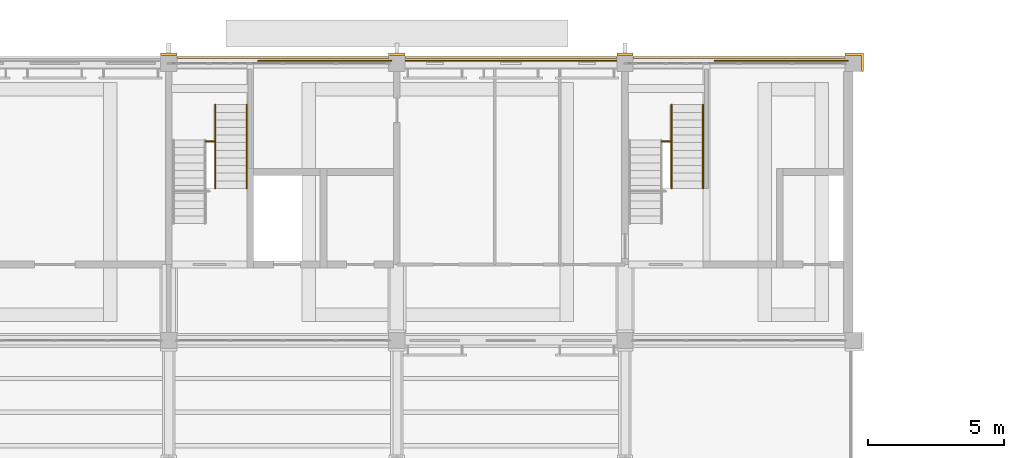
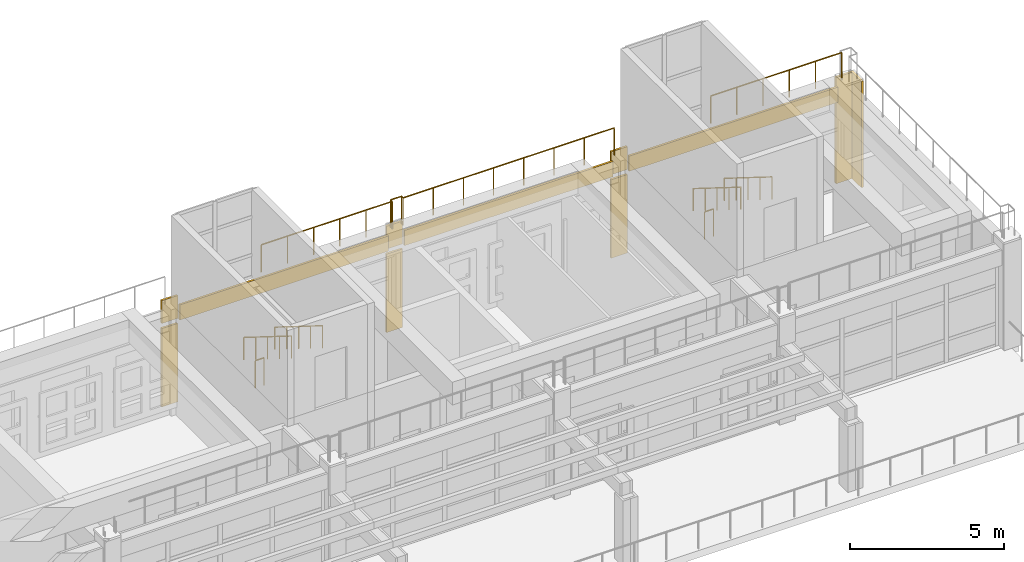
# One storey, part 99 of 105: 10 coverings, 9 railings.
"""IFC4 building model written with IfcOpenShell, lengths in metres."""

from ifc_helpers import new_model, si_unit, direction, frame, origin, origin_2d, place, context, subcontext, project, spatial, polyline, circle, outline, extrude, material, layer, layer_set, type_object, element, save


model = new_model("IFC4")

# Units and contexts
model_context = context("Model", 3, precision=1e-05, world=origin(), true_north=direction((0.0, 1.0)))
body_context = subcontext(model_context, "Body", "Model", "MODEL_VIEW")
ifc_project = project(units=[si_unit("LENGTHUNIT", "METRE"), si_unit("AREAUNIT", "SQUARE_METRE"), si_unit("VOLUMEUNIT", "CUBIC_METRE"), si_unit("PLANEANGLEUNIT", "RADIAN"), si_unit("MASSUNIT", "GRAM", prefix="KILO")], contexts=[model_context])

# Site, building, storey
site_placement = place(None, origin())
site = spatial("IfcSite", under=ifc_project, at=site_placement, CompositionType="ELEMENT")
building_placement = place(site_placement, origin())
building = spatial("IfcBuilding", under=site, at=building_placement, Name="Wasatch Bagh Community Centre", CompositionType="ELEMENT")
storey_placement = place(building_placement, frame((0.0, 0.0, 16.800048828125)))
storey = spatial("IfcBuildingStorey", under=building, at=storey_placement, Name="L04", CompositionType="ELEMENT", Elevation=16.800048828125)

# Coverings
ifc_material_1 = material(Name="Cast stone cladding", Category="masonry")
ifc_layer_1 = layer(ifc_material_1, 0.080078125)
ifc_layer_set_1 = layer_set([ifc_layer_1], Name="Cast stone cladding")
covering_type_1 = type_object("IfcCoveringType", Name="CL-B7 beam facing", PredefinedType="CLADDING", material=ifc_layer_set_1)
covering_1_placement = place(storey_placement, frame((0.0, 0.0, 3.300048828125)))
element("IfcCovering", 1, at=covering_1_placement, inside=storey, type_object=covering_type_1, Name="Beam facing", PredefinedType="CLADDING", context=body_context, shape_type="SweptSolid", body=[
    extrude(outline(polyline([(106.300048828125, 97.97509765625), (114.10009765625, 97.97509765625), (114.10009765625, 98.054931640625), (106.300048828125, 98.054931640625), (106.300048828125, 97.97509765625)])), origin(), (0.0, 0.0, 1.0), 0.599853515625),
])
covering_2_placement = place(storey_placement, frame((0.0, 0.0, 3.300048828125)))
element("IfcCovering", 2, at=covering_2_placement, inside=storey, type_object=covering_type_1, Name="Beam facing", PredefinedType="CLADDING", context=body_context, shape_type="SweptSolid", body=[
    extrude(outline(polyline([(114.699951171875, 97.97509765625), (122.5, 97.97509765625), (122.5, 98.054931640625), (114.699951171875, 98.054931640625), (114.699951171875, 97.97509765625)])), origin(), (0.0, 0.0, 1.0), 0.599853515625),
])
covering_3_placement = place(storey_placement, frame((0.0, 0.0, 3.300048828125)))
element("IfcCovering", 3, at=covering_3_placement, inside=storey, type_object=covering_type_1, Name="Beam facing", PredefinedType="CLADDING", context=body_context, shape_type="SweptSolid", body=[
    extrude(outline(polyline([(123.10009765625, 97.97509765625), (130.89990234375, 97.97509765625), (130.89990234375, 98.054931640625), (123.10009765625, 98.054931640625), (123.10009765625, 97.97509765625)])), origin(), (0.0, 0.0, 1.0), 0.599853515625),
])
ifc_layer_2 = layer(ifc_material_1, 0.080078125)
ifc_layer_set_2 = layer_set([ifc_layer_2], Name="Cast stone cladding")
covering_type_2 = type_object("IfcCoveringType", Name="CL-C1 column facing", PredefinedType="CLADDING", material=ifc_layer_set_2)
covering_4_placement = place(storey_placement, origin())
element("IfcCovering", 4, at=covering_4_placement, inside=storey, type_object=covering_type_2, Name="Column facing", PredefinedType="CLADDING", context=body_context, shape_type="SweptSolid", body=[
    extrude(outline(polyline([(106.300048828125, 98.10009765625), (105.699951171875, 98.10009765625), (105.699951171875, 98.179931640625), (106.300048828125, 98.179931640625), (106.300048828125, 98.10009765625)])), origin(), (0.0, 0.0, 1.0), 3.099853515625),
])
covering_5_placement = place(storey_placement, frame((0.0, 0.0, 3.300048828125)))
element("IfcCovering", 5, at=covering_5_placement, inside=storey, type_object=covering_type_2, Name="Column facing", PredefinedType="CLADDING", context=body_context, shape_type="SweptSolid", body=[
    extrude(outline(polyline([(106.300048828125, 98.10009765625), (105.699951171875, 98.10009765625), (105.699951171875, 98.179931640625), (106.300048828125, 98.179931640625), (106.300048828125, 98.10009765625)])), origin(), (0.0, 0.0, 1.0), 0.89990234375),
])
covering_6_placement = place(storey_placement, origin())
element("IfcCovering", 6, at=covering_6_placement, inside=storey, type_object=covering_type_2, Name="Column facing", PredefinedType="CLADDING", context=body_context, shape_type="SweptSolid", body=[
    extrude(outline(polyline([(114.699951171875, 98.10009765625), (114.10009765625, 98.10009765625), (114.10009765625, 98.179931640625), (114.699951171875, 98.179931640625), (114.699951171875, 98.10009765625)])), origin(), (0.0, 0.0, 1.0), 3.099853515625),
])
covering_7_placement = place(storey_placement, frame((0.0, 0.0, 3.300048828125)))
element("IfcCovering", 7, at=covering_7_placement, inside=storey, type_object=covering_type_2, Name="Column facing", PredefinedType="CLADDING", context=body_context, shape_type="SweptSolid", body=[
    extrude(outline(polyline([(114.699951171875, 98.10009765625), (114.10009765625, 98.10009765625), (114.10009765625, 98.179931640625), (114.699951171875, 98.179931640625), (114.699951171875, 98.10009765625)])), origin(), (0.0, 0.0, 1.0), 0.89990234375),
])
covering_8_placement = place(storey_placement, origin())
element("IfcCovering", 8, at=covering_8_placement, inside=storey, type_object=covering_type_2, Name="Column facing", PredefinedType="CLADDING", context=body_context, shape_type="SweptSolid", body=[
    extrude(outline(polyline([(123.10009765625, 98.10009765625), (122.5, 98.10009765625), (122.5, 98.179931640625), (123.10009765625, 98.179931640625), (123.10009765625, 98.10009765625)])), origin(), (0.0, 0.0, 1.0), 3.099853515625),
])
covering_9_placement = place(storey_placement, frame((0.0, 0.0, 3.300048828125)))
element("IfcCovering", 9, at=covering_9_placement, inside=storey, type_object=covering_type_2, Name="Column facing", PredefinedType="CLADDING", context=body_context, shape_type="SweptSolid", body=[
    extrude(outline(polyline([(123.10009765625, 98.10009765625), (122.5, 98.10009765625), (122.5, 98.179931640625), (123.10009765625, 98.179931640625), (123.10009765625, 98.10009765625)])), origin(), (0.0, 0.0, 1.0), 0.89990234375),
])
covering_10_placement = place(storey_placement, origin())
element("IfcCovering", 10, at=covering_10_placement, inside=storey, type_object=covering_type_2, Name="Column facing", PredefinedType="CLADDING", context=body_context, shape_type="SweptSolid", body=[
    extrude(outline(polyline([(131.5, 98.10009765625), (130.89990234375, 98.10009765625), (130.89990234375, 98.179931640625), (131.580078125, 98.179931640625), (131.580078125, 97.5), (131.5, 97.5), (131.5, 98.10009765625)])), origin(), (0.0, 0.0, 1.0), 4.199951171875),
])

# Railings
ifc_material_2 = material(Name="Painted steel with jali infill", Category="steel")
railing_type_1 = type_object("IfcRailingType", Name="LW guard 1100", PredefinedType="GUARDRAIL", material=ifc_material_2)
railing_1_placement = place(storey_placement, frame((109.300048828125, 97.89990234375, 4.199951171875)))
element("IfcRailing", 11, at=railing_1_placement, inside=storey, type_object=railing_type_1, Name="Terrace guard T5", PredefinedType="GUARDRAIL", context=body_context, shape_type="SweptSolid", body=[
    extrude(circle(Radius=0.02490234375, at=origin_2d()), frame((0.0, 0.0, 1.0751953125), z_axis=(1.0, 0.0, 0.0), x_axis=(0.0, 1.0, 0.0)), (0.0, 0.0, 1.0), 4.89990234375),
    extrude(circle(Radius=0.02001953125, at=origin_2d()), origin(), (0.0, 0.0, 1.0), 1.050048828125),
    extrude(circle(Radius=0.02001953125, at=origin_2d()), frame((0.97998046875, 0.0, 0.0)), (0.0, 0.0, 1.0), 1.050048828125),
    extrude(circle(Radius=0.02001953125, at=origin_2d()), frame((1.9599609375, 0.0, 0.0)), (0.0, 0.0, 1.0), 1.050048828125),
    extrude(circle(Radius=0.02001953125, at=origin_2d()), frame((2.93994140625, 0.0, 0.0)), (0.0, 0.0, 1.0), 1.050048828125),
    extrude(circle(Radius=0.02001953125, at=origin_2d()), frame((3.919921875, 0.0, 0.0)), (0.0, 0.0, 1.0), 1.050048828125),
    extrude(circle(Radius=0.02001953125, at=origin_2d()), frame((4.89990234375, 0.0, 0.0)), (0.0, 0.0, 1.0), 1.050048828125),
])
railing_2_placement = place(storey_placement, frame((114.199951171875, 97.89990234375, 4.199951171875)))
element("IfcRailing", 12, at=railing_2_placement, inside=storey, type_object=railing_type_1, Name="Terrace guard T5", PredefinedType="GUARDRAIL", context=body_context, shape_type="SweptSolid", body=[
    extrude(circle(Radius=0.02490234375, at=origin_2d()), frame((0.0, 0.0, 1.0751953125), z_axis=(0.0, 1.0, 0.0), x_axis=(-1.0, 0.0, 0.0)), (0.0, 0.0, 1.0), 0.10009765625),
    extrude(circle(Radius=0.02490234375, at=origin_2d()), frame((0.0, 0.10009765625, 1.0751953125), z_axis=(1.0, 0.0, 0.0), x_axis=(0.0, 1.0, 0.0)), (0.0, 0.0, 1.0), 0.400146484375),
    extrude(circle(Radius=0.02490234375, at=origin_2d()), frame((0.400146484375, 0.10009765625, 1.0751953125), z_axis=(0.0, -1.0, 0.0), x_axis=(1.0, 0.0, 0.0)), (0.0, 0.0, 1.0), 0.10009765625),
    extrude(circle(Radius=0.02490234375, at=origin_2d()), frame((0.400146484375, 0.0, 1.0751953125), z_axis=(1.0, 0.0, 0.0), x_axis=(0.0, 1.0, 0.0)), (0.0, 0.0, 1.0), 7.89990234375),
    extrude(circle(Radius=0.02001953125, at=origin_2d()), origin(), (0.0, 0.0, 1.0), 1.050048828125),
    extrude(circle(Radius=0.02001953125, at=origin_2d()), frame((0.0, 0.10009765625, 0.0)), (0.0, 0.0, 1.0), 1.050048828125),
    extrude(circle(Radius=0.02001953125, at=origin_2d()), frame((0.400146484375, 0.10009765625, 0.0)), (0.0, 0.0, 1.0), 1.050048828125),
    extrude(circle(Radius=0.02001953125, at=origin_2d()), frame((0.400146484375, 0.0, 0.0)), (0.0, 0.0, 1.0), 1.050048828125),
    extrude(circle(Radius=0.02001953125, at=origin_2d()), frame((1.52880859375, 0.0, 0.0)), (0.0, 0.0, 1.0), 1.050048828125),
    extrude(circle(Radius=0.02001953125, at=origin_2d()), frame((2.6572265625, 0.0, 0.0)), (0.0, 0.0, 1.0), 1.050048828125),
    extrude(circle(Radius=0.02001953125, at=origin_2d()), frame((3.785888671875, 0.0, 0.0)), (0.0, 0.0, 1.0), 1.050048828125),
    extrude(circle(Radius=0.02001953125, at=origin_2d()), frame((4.914306640625, 0.0, 0.0)), (0.0, 0.0, 1.0), 1.050048828125),
    extrude(circle(Radius=0.02001953125, at=origin_2d()), frame((6.04296875, 0.0, 0.0)), (0.0, 0.0, 1.0), 1.050048828125),
    extrude(circle(Radius=0.02001953125, at=origin_2d()), frame((7.17138671875, 0.0, 0.0)), (0.0, 0.0, 1.0), 1.050048828125),
    extrude(circle(Radius=0.02001953125, at=origin_2d()), frame((8.300048828125, 0.0, 0.0)), (0.0, 0.0, 1.0), 1.050048828125),
])
railing_3_placement = place(storey_placement, frame((126.10009765625, 97.89990234375, 4.199951171875)))
element("IfcRailing", 13, at=railing_3_placement, inside=storey, type_object=railing_type_1, Name="Terrace guard T5", PredefinedType="GUARDRAIL", context=body_context, shape_type="SweptSolid", body=[
    extrude(circle(Radius=0.02490234375, at=origin_2d()), frame((0.0, 0.0, 1.0751953125), z_axis=(1.0, 0.0, 0.0), x_axis=(0.0, 1.0, 0.0)), (0.0, 0.0, 1.0), 4.89990234375),
    extrude(circle(Radius=0.02001953125, at=origin_2d()), origin(), (0.0, 0.0, 1.0), 1.050048828125),
    extrude(circle(Radius=0.02001953125, at=origin_2d()), frame((0.97998046875, 0.0, 0.0)), (0.0, 0.0, 1.0), 1.050048828125),
    extrude(circle(Radius=0.02001953125, at=origin_2d()), frame((1.9599609375, 0.0, 0.0)), (0.0, 0.0, 1.0), 1.050048828125),
    extrude(circle(Radius=0.02001953125, at=origin_2d()), frame((2.93994140625, 0.0, 0.0)), (0.0, 0.0, 1.0), 1.050048828125),
    extrude(circle(Radius=0.02001953125, at=origin_2d()), frame((3.919921875, 0.0, 0.0)), (0.0, 0.0, 1.0), 1.050048828125),
    extrude(circle(Radius=0.02001953125, at=origin_2d()), frame((4.89990234375, 0.0, 0.0)), (0.0, 0.0, 1.0), 1.050048828125),
])
railing_4_placement = place(storey_placement, frame((107.360107421875, 94.929931640625, 2.099853515625)))
element("IfcRailing", 14, at=railing_4_placement, inside=storey, type_object=railing_type_1, Name="Guard C2", PredefinedType="GUARDRAIL", context=body_context, shape_type="SweptSolid", body=[
    extrude(circle(Radius=0.02490234375, at=origin_2d()), frame((0.0, 0.0, 1.0751953125), z_axis=(1.0, 0.0, 0.0), x_axis=(0.0, 1.0, 0.0)), (0.0, 0.0, 1.0), 0.329833984375),
    extrude(circle(Radius=0.02001953125, at=origin_2d()), origin(), (0.0, 0.0, 1.0), 1.050048828125),
    extrude(circle(Radius=0.02001953125, at=origin_2d()), frame((0.329833984375, 0.0, 0.0)), (0.0, 0.0, 1.0), 1.050048828125),
])
railing_5_placement = place(storey_placement, frame((124.159912109375, 94.929931640625, 2.099853515625)))
element("IfcRailing", 15, at=railing_5_placement, inside=storey, type_object=railing_type_1, Name="Guard C3", PredefinedType="GUARDRAIL", context=body_context, shape_type="SweptSolid", body=[
    extrude(circle(Radius=0.02490234375, at=origin_2d()), frame((0.0, 0.0, 1.0751953125), z_axis=(1.0, 0.0, 0.0), x_axis=(0.0, 1.0, 0.0)), (0.0, 0.0, 1.0), 0.330078125),
    extrude(circle(Radius=0.02001953125, at=origin_2d()), origin(), (0.0, 0.0, 1.0), 1.050048828125),
    extrude(circle(Radius=0.02001953125, at=origin_2d()), frame((0.330078125, 0.0, 0.0)), (0.0, 0.0, 1.0), 1.050048828125),
])
ifc_material_3 = material(Name="Painted steel tube", Category="steel")
railing_type_2 = type_object("IfcRailingType", Name="LW stair handrail 900", PredefinedType="HANDRAIL", material=ifc_material_3)
for number, where, name in (
    (16, (107.715087890625, 96.280029296875, 2.27490234375), "Handrail C2"),
    (17, (108.875, 96.280029296875, 2.27490234375), "Handrail C2"),
    (18, (124.514892578125, 96.280029296875, 2.27490234375), "Handrail C3"),
    (19, (125.675048828125, 96.280029296875, 2.27490234375), "Handrail C3"),
):
    element("IfcRailing", number, at=place(storey_placement, frame(where)), inside=storey, type_object=railing_type_2, Name=name, PredefinedType="HANDRAIL", context=body_context, shape_type="SweptSolid", body=[
        extrude(circle(Radius=0.0224609375, at=origin_2d()), frame((0.0, 0.0, 0.87744140625), z_axis=(0.0, -0.847998304005, 0.529998940003), x_axis=(1.0, 0.0, 0.0)), (0.0, 0.0, 1.0), 3.632080078125),
        extrude(circle(Radius=0.02001953125, at=origin_2d()), origin(), (0.0, 0.0, 1.0), 0.85498046875),
        extrude(circle(Radius=0.02001953125, at=origin_2d()), frame((0.0, -0.77001953125, 0.481201171875)), (0.0, 0.0, 1.0), 0.85498046875),
        extrude(circle(Radius=0.02001953125, at=origin_2d()), frame((0.0, -1.5400390625, 0.96240234375)), (0.0, 0.0, 1.0), 0.85498046875),
        extrude(circle(Radius=0.02001953125, at=origin_2d()), frame((0.0, -2.31005859375, 1.44384765625)), (0.0, 0.0, 1.0), 0.85498046875),
        extrude(circle(Radius=0.02001953125, at=origin_2d()), frame((0.0, -3.080078125, 1.925048828125)), (0.0, 0.0, 1.0), 0.85498046875),
    ])

save(model, "model.ifc")
